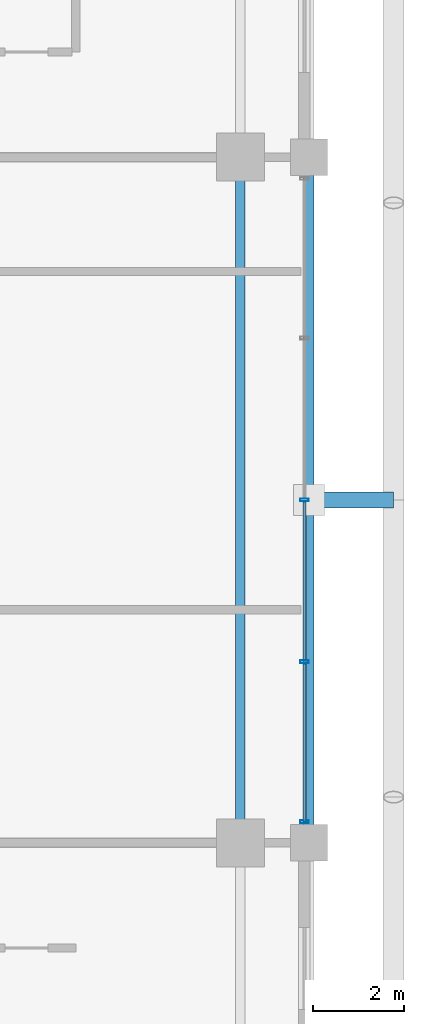
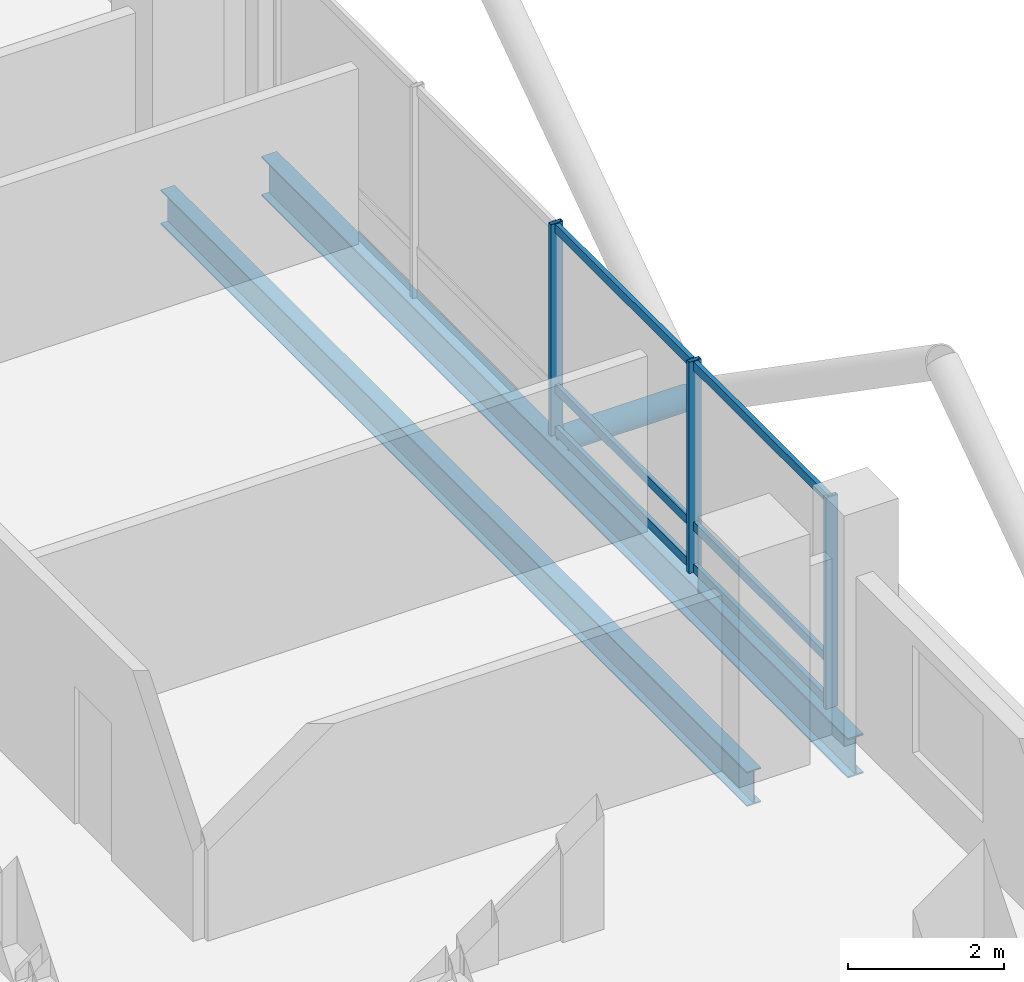
# One storey, part 11 of 25: 10 members, 2 beams, 1 element without a shape of its own.
"""IFC4 building model written with IfcOpenShell, lengths in metres."""

from ifc_helpers import new_model, si_unit, direction, frame, origin, origin_2d, place, context, subcontext, project, spatial, hollow_rectangle, hollow_circle, i_section, extrude, material, layer, layer_set, material_profile, profile_set, type_object, element, aggregate, save


model = new_model("IFC4")

# Units and contexts
model_context = context("Model", 3, precision=1e-05, world=origin(), true_north=direction((0.0, 1.0)))
body_context = subcontext(model_context, "Body", "Model", "MODEL_VIEW")
ifc_project = project(units=[si_unit("LENGTHUNIT", "METRE"), si_unit("AREAUNIT", "SQUARE_METRE"), si_unit("VOLUMEUNIT", "CUBIC_METRE"), si_unit("PLANEANGLEUNIT", "RADIAN"), si_unit("MASSUNIT", "GRAM", prefix="KILO")], contexts=[model_context])

# Site, building, storey
site_placement = place(None, origin())
site = spatial("IfcSite", under=ifc_project, at=site_placement, CompositionType="ELEMENT")
building_placement = place(site_placement, origin())
building = spatial("IfcBuilding", under=site, at=building_placement, Name="Barlavira Tower and Art Museum", CompositionType="ELEMENT")
storey_placement = place(building_placement, frame((0.0, 0.0, 208.800048828125)))
storey = spatial("IfcBuildingStorey", under=building, at=storey_placement, Name="L54", CompositionType="ELEMENT", Elevation=208.800048828125)

# Curtain wall, members
ifc_material_1 = material(Name="Low-iron coastal laminated glass", Category="glass")
ifc_layer = layer(ifc_material_1, 0.199951171875, Name="Low-iron coastal laminated glass")
ifc_layer_set = layer_set([ifc_layer], Name="Low-iron coastal laminated glass")
curtain_wall_type = type_object("IfcCurtainWallType", Name="Pale-Metal Unitised Curtain Wall Zone 3", PredefinedType="NOTDEFINED", material=ifc_layer_set)
curtain_wall_placement = place(storey_placement, origin())
curtain_wall = element("IfcCurtainWall", 1, at=curtain_wall_placement, inside=storey, type_object=curtain_wall_type, Name="L54 Curtain Wall CW3-L54-E-B3", PredefinedType="NOTDEFINED")
ifc_material_2 = material(Name="Pale anodised aluminium", Category="aluminium")
ifc_material_profile_1 = material_profile(ifc_material_2, hollow_rectangle(XDim=0.06494140625, YDim=0.179931640625, WallThickness=0.00390625, at=origin_2d()), Name="ALU-MULL 65x180x4")
ifc_profile_set_1 = profile_set([ifc_material_profile_1], Name="Pale anodised aluminium")
member_type_1 = type_object("IfcMemberType", Name="Curtain Wall Pale-Metal Mullion 65x180", PredefinedType="MULLION", material=ifc_profile_set_1)
member_1_placement = place(storey_placement, frame((18.39990234375, -7.034912109375, 0.0), z_axis=(0.0, 0.0, 1.0), x_axis=(0.0, 1.0, 0.0)))
member_1 = element("IfcMember", 2, at=member_1_placement, type_object=member_type_1, Name="CW3-L54-E-B3 Mullion 0", PredefinedType="MULLION", context=body_context, shape_type="SweptSolid", body=[
    extrude(hollow_rectangle(XDim=0.06494140625, YDim=0.179931640625, WallThickness=0.00390625, at=origin_2d()), origin(), (0.0, 0.0, 1.0), 3.300048828125),
])
member_2_placement = place(storey_placement, frame((18.39990234375, -3.5400390625, 0.0), z_axis=(0.0, 0.0, 1.0), x_axis=(0.0, 1.0, 0.0)))
member_2 = element("IfcMember", 3, at=member_2_placement, type_object=member_type_1, Name="CW3-L54-E-B3 Mullion 1", PredefinedType="MULLION", context=body_context, shape_type="SweptSolid", body=[
    extrude(hollow_rectangle(XDim=0.06494140625, YDim=0.179931640625, WallThickness=0.00390625, at=origin_2d()), origin(), (0.0, 0.0, 1.0), 3.300048828125),
])
member_3_placement = place(storey_placement, frame((18.39990234375, 0.0, 0.0), z_axis=(0.0, 0.0, 1.0), x_axis=(0.0, 1.0, 0.0)))
member_3 = element("IfcMember", 4, at=member_3_placement, type_object=member_type_1, Name="CW3-L54-E-B3 Mullion 2", PredefinedType="MULLION", context=body_context, shape_type="SweptSolid", body=[
    extrude(hollow_rectangle(XDim=0.06494140625, YDim=0.179931640625, WallThickness=0.00390625, at=origin_2d()), origin(), (0.0, 0.0, 1.0), 3.300048828125),
])
ifc_material_profile_2 = material_profile(ifc_material_2, hollow_rectangle(XDim=0.06494140625, YDim=0.139892578125, WallThickness=0.00390625, at=origin_2d()), Name="ALU-TRAN 65x140x4")
ifc_profile_set_2 = profile_set([ifc_material_profile_2], Name="Pale anodised aluminium")
member_type_2 = type_object("IfcMemberType", Name="Curtain Wall Pale-Metal Transom 65x140", PredefinedType="USERDEFINED", material=ifc_profile_set_2)
member_4_placement = place(storey_placement, frame((18.39990234375, -7.034912109375, 0.070068359375), z_axis=(0.0, 1.0, 0.0), x_axis=(-1.0, 0.0, 0.0)))
member_4 = element("IfcMember", 5, at=member_4_placement, type_object=member_type_2, Name="CW3-L54-E-B3 Transom 0.1", ObjectType="TRANSOM", PredefinedType="USERDEFINED", context=body_context, shape_type="SweptSolid", body=[
    extrude(hollow_rectangle(XDim=0.06494140625, YDim=0.139892578125, WallThickness=0.00390625, at=origin_2d()), origin(), (0.0, 0.0, 1.0), 3.449951171875),
])
member_5_placement = place(storey_placement, frame((18.39990234375, -7.034912109375, 0.725830078125), z_axis=(0.0, 1.0, 0.0), x_axis=(-1.0, 0.0, 0.0)))
member_5 = element("IfcMember", 6, at=member_5_placement, type_object=member_type_2, Name="CW3-L54-E-B3 Transom 0.2", ObjectType="TRANSOM", PredefinedType="USERDEFINED", context=body_context, shape_type="SweptSolid", body=[
    extrude(hollow_rectangle(XDim=0.06494140625, YDim=0.139892578125, WallThickness=0.00390625, at=origin_2d()), origin(), (0.0, 0.0, 1.0), 3.449951171875),
])
member_6_placement = place(storey_placement, frame((18.39990234375, -7.034912109375, 3.22998046875), z_axis=(0.0, 1.0, 0.0), x_axis=(-1.0, 0.0, 0.0)))
member_6 = element("IfcMember", 7, at=member_6_placement, type_object=member_type_2, Name="CW3-L54-E-B3 Transom 0.3", ObjectType="TRANSOM", PredefinedType="USERDEFINED", context=body_context, shape_type="SweptSolid", body=[
    extrude(hollow_rectangle(XDim=0.06494140625, YDim=0.139892578125, WallThickness=0.00390625, at=origin_2d()), origin(), (0.0, 0.0, 1.0), 3.449951171875),
])
member_7_placement = place(storey_placement, frame((18.39990234375, -3.4951171875, 0.070068359375), z_axis=(0.0, 1.0, 0.0), x_axis=(-1.0, 0.0, 0.0)))
member_7 = element("IfcMember", 8, at=member_7_placement, type_object=member_type_2, Name="CW3-L54-E-B3 Transom 1.1", ObjectType="TRANSOM", PredefinedType="USERDEFINED", context=body_context, shape_type="SweptSolid", body=[
    extrude(hollow_rectangle(XDim=0.06494140625, YDim=0.139892578125, WallThickness=0.00390625, at=origin_2d()), origin(), (0.0, 0.0, 1.0), 3.4501953125),
])
member_8_placement = place(storey_placement, frame((18.39990234375, -3.4951171875, 0.725830078125), z_axis=(0.0, 1.0, 0.0), x_axis=(-1.0, 0.0, 0.0)))
member_8 = element("IfcMember", 9, at=member_8_placement, type_object=member_type_2, Name="CW3-L54-E-B3 Transom 1.2", ObjectType="TRANSOM", PredefinedType="USERDEFINED", context=body_context, shape_type="SweptSolid", body=[
    extrude(hollow_rectangle(XDim=0.06494140625, YDim=0.139892578125, WallThickness=0.00390625, at=origin_2d()), origin(), (0.0, 0.0, 1.0), 3.4501953125),
])
member_9_placement = place(storey_placement, frame((18.39990234375, -3.4951171875, 3.22998046875), z_axis=(0.0, 1.0, 0.0), x_axis=(-1.0, 0.0, 0.0)))
member_9 = element("IfcMember", 10, at=member_9_placement, type_object=member_type_2, Name="CW3-L54-E-B3 Transom 1.3", ObjectType="TRANSOM", PredefinedType="USERDEFINED", context=body_context, shape_type="SweptSolid", body=[
    extrude(hollow_rectangle(XDim=0.06494140625, YDim=0.139892578125, WallThickness=0.00390625, at=origin_2d()), origin(), (0.0, 0.0, 1.0), 3.4501953125),
])
aggregate(curtain_wall, [member_1, member_2, member_3, member_4, member_5, member_6, member_7, member_8, member_9])

# Member
ifc_material_3 = material(Name="Steel S355", Category="steel")
ifc_material_profile_3 = material_profile(ifc_material_3, hollow_circle(Radius=0.177734375, WallThickness=0.01611328125, at=origin_2d()), Name="CHS 355.6x16.0")
ifc_profile_set_3 = profile_set([ifc_material_profile_3], Name="Steel S355")
member_type_3 = type_object("IfcMemberType", Name="Pale-Metal Exoskeleton Tie Strut CHS 356x16 Steel S355", PredefinedType="STRUT", material=ifc_profile_set_3)
member_10_placement = place(storey_placement, frame((20.35009765625, 0.0, -0.1201171875), z_axis=(-1.0, 0.0, 0.0), x_axis=(0.0, -1.0, 0.0)))
element("IfcMember", 11, at=member_10_placement, inside=storey, type_object=member_type_3, Name="L54 Exoskeleton Tie Strut E2", PredefinedType="STRUT", context=body_context, shape_type="SweptSolid", body=[
    extrude(hollow_circle(Radius=0.177734375, WallThickness=0.01611328125, at=origin_2d()), origin(), (0.0, 0.0, 1.0), 1.85009765625),
])

# Beams
ifc_material_profile_4 = material_profile(ifc_material_3, i_section(OverallWidth=0.22998046875, OverallDepth=0.616943359375, WebThickness=0.01318359375, FlangeThickness=0.022216796875, at=origin_2d()), Name="W610x140.0")
ifc_profile_set_4 = profile_set([ifc_material_profile_4], Name="Steel S355")
beam_type_1 = type_object("IfcBeamType", Name="Upper Shaft Spandrel Edge Beam W610x140 Steel S355", PredefinedType="SPANDREL", material=ifc_profile_set_4)
beam_1_placement = place(storey_placement, frame((18.5, -7.5, -0.528564453125), z_axis=(0.0, 1.0, 0.0), x_axis=(-1.0, 0.0, 0.0)))
element("IfcBeam", 12, at=beam_1_placement, inside=storey, type_object=beam_type_1, Name="L54 Spandrel 6", PredefinedType="SPANDREL", context=body_context, shape_type="SweptSolid", body=[
    extrude(i_section(OverallWidth=0.22998046875, OverallDepth=0.616943359375, WebThickness=0.01318359375, FlangeThickness=0.022216796875, at=origin_2d()), origin(), (0.0, 0.0, 1.0), 15.0),
])
ifc_material_profile_5 = material_profile(ifc_material_3, i_section(OverallWidth=0.2109375, OverallDepth=0.5390625, WebThickness=0.01171875, FlangeThickness=0.018798828125, at=origin_2d()), Name="W530x109.0")
ifc_profile_set_5 = profile_set([ifc_material_profile_5], Name="Steel S355")
beam_type_2 = type_object("IfcBeamType", Name="Zone 3-4 Primary Floor Girder W530x109 Steel S355", PredefinedType="BEAM", material=ifc_profile_set_5)
beam_2_placement = place(storey_placement, frame((17.0, -7.5, -0.489501953125), z_axis=(0.0, 1.0, 0.0), x_axis=(-1.0, 0.0, 0.0)))
element("IfcBeam", 13, at=beam_2_placement, inside=storey, type_object=beam_type_2, Name="L54 Girder M-E2", PredefinedType="BEAM", context=body_context, shape_type="SweptSolid", body=[
    extrude(i_section(OverallWidth=0.2109375, OverallDepth=0.5390625, WebThickness=0.01171875, FlangeThickness=0.018798828125, at=origin_2d()), origin(), (0.0, 0.0, 1.0), 15.0),
])

save(model, "model.ifc")
